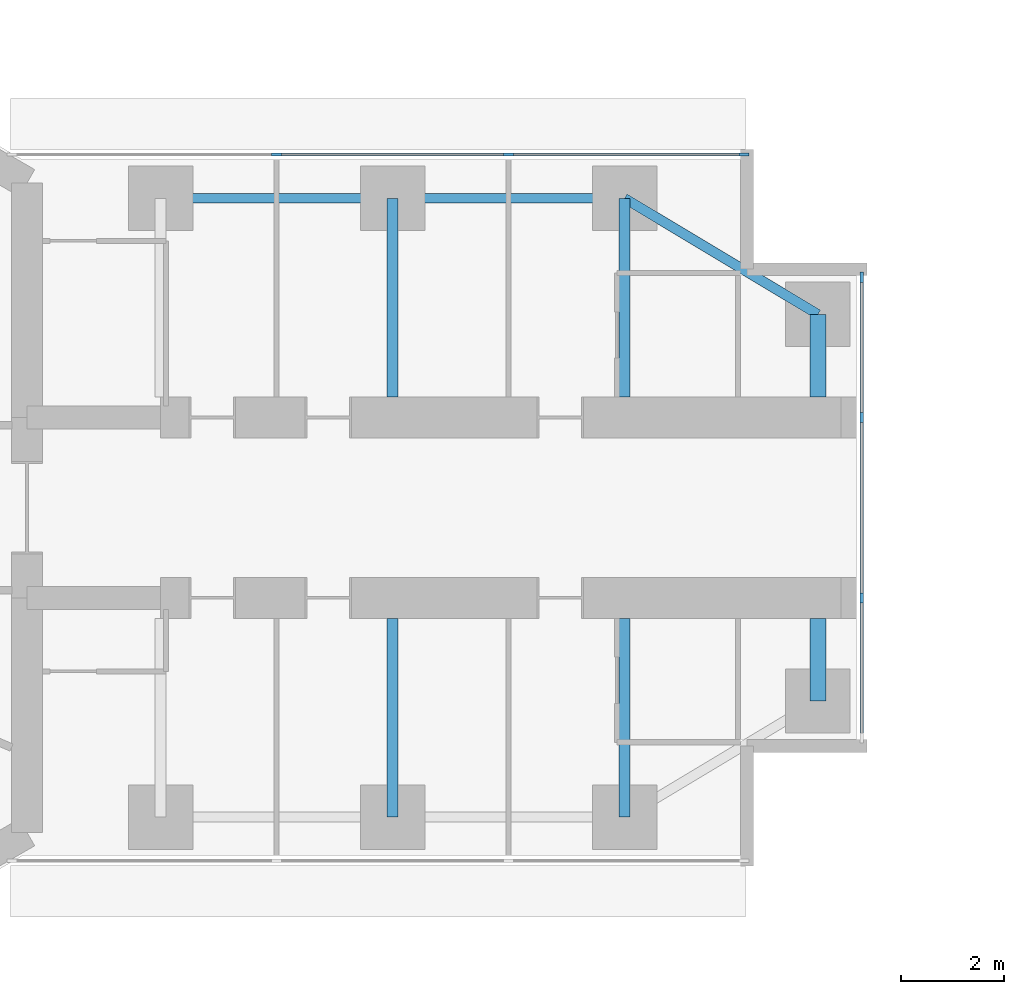
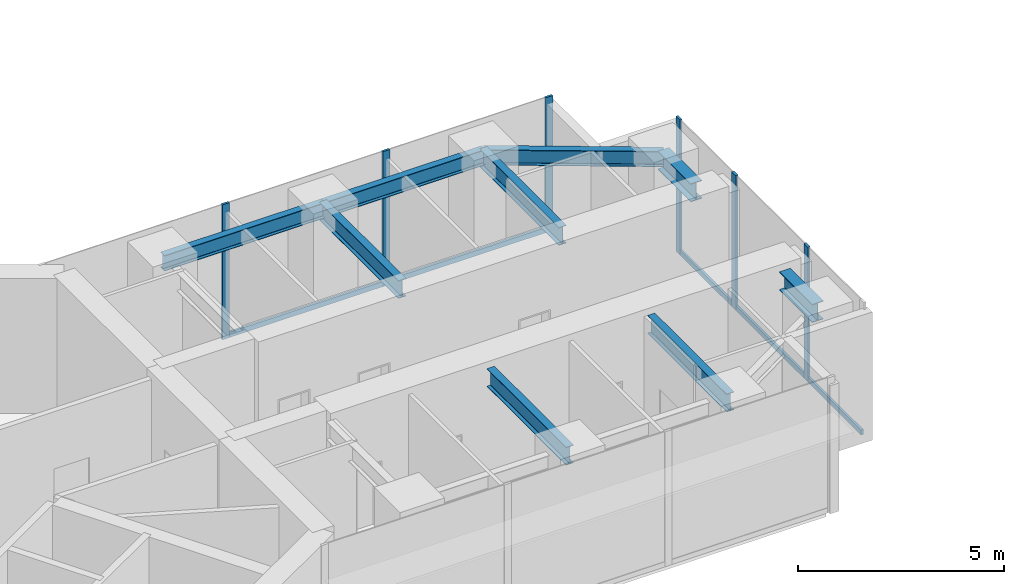
# One storey, part 7 of 23: 11 members, 9 beams, 2 elements without a shape of their own.
"""IFC4 building model written with IfcOpenShell, lengths in metres."""

from ifc_helpers import new_model, si_unit, direction, frame, origin, origin_2d, place, context, subcontext, project, spatial, rectangle, i_section, extrude, material, material_profile, profile_set, type_object, element, aggregate, save


model = new_model("IFC4")

# Units and contexts
model_context = context("Model", 3, precision=1e-05, world=origin(), true_north=direction((0.0, 1.0)))
body_context = subcontext(model_context, "Body", "Model", "MODEL_VIEW")
ifc_project = project(units=[si_unit("LENGTHUNIT", "METRE"), si_unit("AREAUNIT", "SQUARE_METRE"), si_unit("VOLUMEUNIT", "CUBIC_METRE"), si_unit("PLANEANGLEUNIT", "RADIAN"), si_unit("MASSUNIT", "GRAM", prefix="KILO")], contexts=[model_context])

# Site, building, storey
site_placement = place(None, origin())
site = spatial("IfcSite", under=ifc_project, at=site_placement, CompositionType="ELEMENT")
building_placement = place(site_placement, origin())
building = spatial("IfcBuilding", under=site, at=building_placement, Name="Upepo Twin Towers", CompositionType="ELEMENT")
storey_placement = place(building_placement, frame((0.0, 0.0, 149.5)))
storey = spatial("IfcBuildingStorey", under=building, at=storey_placement, Name="L36", CompositionType="ELEMENT", Elevation=149.5)

# Beams
ifc_material_1 = material(Name="Steel S355", Category="steel")
ifc_material_profile_1 = material_profile(ifc_material_1, i_section(OverallWidth=0.1904296875, OverallDepth=0.45703125, WebThickness=0.009033203125, FlangeThickness=0.014404296875, FilletRadius=0.01025390625, at=origin_2d()), Name="UB 457x191x74")
ifc_profile_set_1 = profile_set([ifc_material_profile_1], Name="Steel S355")
beam_type_1 = type_object("IfcBeamType", Name="Beam UB 457x191x74", PredefinedType="BEAM", material=ifc_profile_set_1)
for number, where, z_axis, x_axis, name in (
    (1, (13.5, 6.0, 3.571533203125), (1.0, 0.0, 0.0), (0.0, 1.0, 0.0), "T1 edge beam AL 13.5-18.0"),
    (2, (18.0, 6.0, 3.571533203125), (1.0, 0.0, 0.0), (0.0, 1.0, 0.0), "T1 edge beam AL 18.0-22.5"),
):
    element("IfcBeam", number, at=place(storey_placement, frame(where, z_axis=z_axis, x_axis=x_axis)), inside=storey, type_object=beam_type_1, Name=name, PredefinedType="BEAM", context=body_context, shape_type="SweptSolid", body=[
        extrude(i_section(OverallWidth=0.1904296875, OverallDepth=0.45703125, WebThickness=0.009033203125, FlangeThickness=0.014404296875, FilletRadius=0.01025390625, at=origin_2d()), origin(), (0.0, 0.0, 1.0), 4.5),
    ])
beam_placement = place(storey_placement, frame((22.5, 6.0, 3.571533203125), z_axis=(0.857492925713, -0.514495755428, 0.0), x_axis=(0.514495755428, 0.857492925713, 0.0)))
element("IfcBeam", 3, at=beam_placement, inside=storey, type_object=beam_type_1, Name="T1 nose edge beam AL", PredefinedType="BEAM", context=body_context, shape_type="SweptSolid", body=[
    extrude(i_section(OverallWidth=0.1904296875, OverallDepth=0.45703125, WebThickness=0.009033203125, FlangeThickness=0.014404296875, FilletRadius=0.01025390625, at=origin_2d()), origin(), (0.0, 0.0, 1.0), 4.373291015625),
])
ifc_material_2 = material(Name="Steel S355", Category="steel")
ifc_material_profile_2 = material_profile(ifc_material_2, i_section(OverallWidth=0.209228515625, OverallDepth=0.533203125, WebThickness=0.010009765625, FlangeThickness=0.015625, FilletRadius=0.0126953125, at=origin_2d()), Name="UB 533x210x92")
ifc_profile_set_2 = profile_set([ifc_material_profile_2], Name="Steel S355")
beam_type_2 = type_object("IfcBeamType", Name="Beam UB 533x210x92", PredefinedType="BEAM", material=ifc_profile_set_2)
for number, where, z_axis, x_axis, name in (
    (4, (18.0, 6.0, 3.533447265625), (0.0, -1.0, 0.0), (1.0, 0.0, 0.0), "T1 girder AL at 18.0"),
    (5, (22.5, 6.0, 3.533447265625), (0.0, -1.0, 0.0), (1.0, 0.0, 0.0), "T1 girder AL at 22.5"),
    (6, (18.0, -6.0, 3.533447265625), (0.0, 1.0, 0.0), (-1.0, 0.0, 0.0), "T1 girder AR at 18.0"),
    (7, (22.5, -6.0, 3.533447265625), (0.0, 1.0, 0.0), (-1.0, 0.0, 0.0), "T1 girder AR at 22.5"),
):
    element("IfcBeam", number, at=place(storey_placement, frame(where, z_axis=z_axis, x_axis=x_axis)), inside=storey, type_object=beam_type_2, Name=name, PredefinedType="BEAM", context=body_context, shape_type="SweptSolid", body=[
        extrude(i_section(OverallWidth=0.209228515625, OverallDepth=0.533203125, WebThickness=0.010009765625, FlangeThickness=0.015625, FilletRadius=0.0126953125, at=origin_2d()), origin(), (0.0, 0.0, 1.0), 3.85009765625),
    ])
ifc_material_3 = material(Name="Steel S355", Category="steel")
ifc_material_profile_3 = material_profile(ifc_material_3, i_section(OverallWidth=0.31201171875, OverallDepth=0.54345703125, WebThickness=0.0126953125, FlangeThickness=0.020263671875, FilletRadius=0.0126953125, at=origin_2d()), Name="UB 533x312x150")
ifc_profile_set_3 = profile_set([ifc_material_profile_3], Name="Steel S355")
beam_type_3 = type_object("IfcBeamType", Name="Beam UB 533x312x150", PredefinedType="BEAM", material=ifc_profile_set_3)
for number, where, z_axis, x_axis, name in (
    (8, (26.25, 3.75, 3.5283203125), (0.0, -1.0, 0.0), (1.0, 0.0, 0.0), "T1 nose beam AL"),
    (9, (26.25, -3.75, 3.5283203125), (0.0, 1.0, 0.0), (-1.0, 0.0, 0.0), "T1 nose beam AR"),
):
    element("IfcBeam", number, at=place(storey_placement, frame(where, z_axis=z_axis, x_axis=x_axis)), inside=storey, type_object=beam_type_3, Name=name, PredefinedType="BEAM", context=body_context, shape_type="SweptSolid", body=[
        extrude(i_section(OverallWidth=0.31201171875, OverallDepth=0.54345703125, WebThickness=0.0126953125, FlangeThickness=0.020263671875, FilletRadius=0.0126953125, at=origin_2d()), origin(), (0.0, 0.0, 1.0), 1.60009765625),
    ])

# Curtain wall, members
ifc_material_4 = material(Name="Aluminium and fritted glass", Category="aluminium")
curtain_wall_type = type_object("IfcCurtainWallType", Name="Tower curtain wall TW2, fritted glass", PredefinedType="NOTDEFINED", material=ifc_material_4)
curtain_wall_1_placement = place(storey_placement, origin())
curtain_wall_1 = element("IfcCurtainWall", 10, at=curtain_wall_1_placement, inside=storey, type_object=curtain_wall_type, Name="T1 L36 wing A flank L curtain wall", PredefinedType="NOTDEFINED")
ifc_material_5 = material(Name="Aluminium mullion", Category="aluminium")
ifc_material_profile_4 = material_profile(ifc_material_5, rectangle(XDim=0.06494140625, YDim=0.199951171875, at=origin_2d()), Name="MULLION 65x200")
ifc_profile_set_4 = profile_set([ifc_material_profile_4], Name="Aluminium mullion")
member_type_1 = type_object("IfcMemberType", Name="Mullion 65x200 TW2", PredefinedType="MULLION", material=ifc_profile_set_4)
member_1_placement = place(storey_placement, frame((15.75, 6.85009765625, 0.0), z_axis=(0.0, 0.0, 1.0), x_axis=(0.0, 1.0, 0.0)))
member_1 = element("IfcMember", 11, at=member_1_placement, type_object=member_type_1, Name="T1 L36 wing A flank L curtain wall mullion 2", PredefinedType="MULLION", context=body_context, shape_type="SweptSolid", body=[
    extrude(rectangle(XDim=0.06494140625, YDim=0.199951171875, at=origin_2d()), origin(), (0.0, 0.0, 1.0), 4.0),
])
member_2_placement = place(storey_placement, frame((20.25, 6.85009765625, 0.0), z_axis=(0.0, 0.0, 1.0), x_axis=(0.0, 1.0, 0.0)))
member_2 = element("IfcMember", 12, at=member_2_placement, type_object=member_type_1, Name="T1 L36 wing A flank L curtain wall mullion 3", PredefinedType="MULLION", context=body_context, shape_type="SweptSolid", body=[
    extrude(rectangle(XDim=0.06494140625, YDim=0.199951171875, at=origin_2d()), origin(), (0.0, 0.0, 1.0), 4.0),
])
member_3_placement = place(storey_placement, frame((24.8173828125, 6.85009765625, 0.0), z_axis=(0.0, 0.0, 1.0), x_axis=(0.0, 1.0, 0.0)))
member_3 = element("IfcMember", 13, at=member_3_placement, type_object=member_type_1, Name="T1 L36 wing A flank L curtain wall mullion 4", PredefinedType="MULLION", context=body_context, shape_type="SweptSolid", body=[
    extrude(rectangle(XDim=0.06494140625, YDim=0.199951171875, at=origin_2d()), origin(), (0.0, 0.0, 1.0), 4.0),
])

curtain_wall_2_placement = place(storey_placement, origin())
curtain_wall_2 = element("IfcCurtainWall", 14, at=curtain_wall_2_placement, inside=storey, type_object=curtain_wall_type, Name="T1 L36 wing A nose curtain wall", PredefinedType="NOTDEFINED")
member_4_placement = place(storey_placement, frame((27.10009765625, -1.75, 0.0), z_axis=(0.0, 0.0, 1.0), x_axis=(-1.0, 0.0, 0.0)))
member_4 = element("IfcMember", 15, at=member_4_placement, type_object=member_type_1, Name="T1 L36 wing A nose curtain wall mullion 2", PredefinedType="MULLION", context=body_context, shape_type="SweptSolid", body=[
    extrude(rectangle(XDim=0.06494140625, YDim=0.199951171875, at=origin_2d()), origin(), (0.0, 0.0, 1.0), 4.0),
])
member_5_placement = place(storey_placement, frame((27.10009765625, 1.75, 0.0), z_axis=(0.0, 0.0, 1.0), x_axis=(-1.0, 0.0, 0.0)))
member_5 = element("IfcMember", 16, at=member_5_placement, type_object=member_type_1, Name="T1 L36 wing A nose curtain wall mullion 3", PredefinedType="MULLION", context=body_context, shape_type="SweptSolid", body=[
    extrude(rectangle(XDim=0.06494140625, YDim=0.199951171875, at=origin_2d()), origin(), (0.0, 0.0, 1.0), 4.0),
])
member_6_placement = place(storey_placement, frame((27.10009765625, 4.467529296875, 0.0), z_axis=(0.0, 0.0, 1.0), x_axis=(-1.0, 0.0, 0.0)))
member_6 = element("IfcMember", 17, at=member_6_placement, type_object=member_type_1, Name="T1 L36 wing A nose curtain wall mullion 4", PredefinedType="MULLION", context=body_context, shape_type="SweptSolid", body=[
    extrude(rectangle(XDim=0.06494140625, YDim=0.199951171875, at=origin_2d()), origin(), (0.0, 0.0, 1.0), 4.0),
])

# Member
ifc_material_6 = material(Name="Aluminium transom", Category="aluminium")
ifc_material_profile_5 = material_profile(ifc_material_6, rectangle(XDim=0.06494140625, YDim=0.14990234375, at=origin_2d()), Name="TRANSOM 65x150")
ifc_profile_set_5 = profile_set([ifc_material_profile_5], Name="Aluminium transom")
member_type_2 = type_object("IfcMemberType", Name="Transom 65x150 TW2", PredefinedType="USERDEFINED", material=ifc_profile_set_5)
member_7_placement = place(storey_placement, frame((15.782470703125, 6.85009765625, 0.074951171875), z_axis=(1.0, 0.0, 0.0), x_axis=(0.0, 1.0, 0.0)))
member_7 = element("IfcMember", 18, at=member_7_placement, type_object=member_type_2, Name="T1 L36 wing A flank L curtain wall transom 2", ObjectType="TRANSOM", PredefinedType="USERDEFINED", context=body_context, shape_type="SweptSolid", body=[
    extrude(rectangle(XDim=0.06494140625, YDim=0.14990234375, at=origin_2d()), origin(), (0.0, 0.0, 1.0), 4.43505859375),
])

member_8_placement = place(storey_placement, frame((20.282470703125, 6.85009765625, 0.074951171875), z_axis=(1.0, 0.0, 0.0), x_axis=(0.0, 1.0, 0.0)))
member_8 = element("IfcMember", 19, at=member_8_placement, type_object=member_type_2, Name="T1 L36 wing A flank L curtain wall transom 3", ObjectType="TRANSOM", PredefinedType="USERDEFINED", context=body_context, shape_type="SweptSolid", body=[
    extrude(rectangle(XDim=0.06494140625, YDim=0.14990234375, at=origin_2d()), origin(), (0.0, 0.0, 1.0), 4.50244140625),
])

aggregate(curtain_wall_1, [member_1, member_2, member_3, member_7, member_8])

member_9_placement = place(storey_placement, frame((27.10009765625, -4.43505859375, 0.074951171875), z_axis=(0.0, 1.0, 0.0), x_axis=(-1.0, 0.0, 0.0)))
member_9 = element("IfcMember", 20, at=member_9_placement, type_object=member_type_2, Name="T1 L36 wing A nose curtain wall transom 1", ObjectType="TRANSOM", PredefinedType="USERDEFINED", context=body_context, shape_type="SweptSolid", body=[
    extrude(rectangle(XDim=0.06494140625, YDim=0.14990234375, at=origin_2d()), origin(), (0.0, 0.0, 1.0), 2.652587890625),
])

member_10_placement = place(storey_placement, frame((27.10009765625, -1.717529296875, 0.074951171875), z_axis=(0.0, 1.0, 0.0), x_axis=(-1.0, 0.0, 0.0)))
member_10 = element("IfcMember", 21, at=member_10_placement, type_object=member_type_2, Name="T1 L36 wing A nose curtain wall transom 2", ObjectType="TRANSOM", PredefinedType="USERDEFINED", context=body_context, shape_type="SweptSolid", body=[
    extrude(rectangle(XDim=0.06494140625, YDim=0.14990234375, at=origin_2d()), origin(), (0.0, 0.0, 1.0), 3.43505859375),
])

member_11_placement = place(storey_placement, frame((27.10009765625, 1.782470703125, 0.074951171875), z_axis=(0.0, 1.0, 0.0), x_axis=(-1.0, 0.0, 0.0)))
member_11 = element("IfcMember", 22, at=member_11_placement, type_object=member_type_2, Name="T1 L36 wing A nose curtain wall transom 3", ObjectType="TRANSOM", PredefinedType="USERDEFINED", context=body_context, shape_type="SweptSolid", body=[
    extrude(rectangle(XDim=0.06494140625, YDim=0.14990234375, at=origin_2d()), origin(), (0.0, 0.0, 1.0), 2.652587890625),
])

aggregate(curtain_wall_2, [member_4, member_5, member_6, member_9, member_10, member_11])

save(model, "model.ifc")
